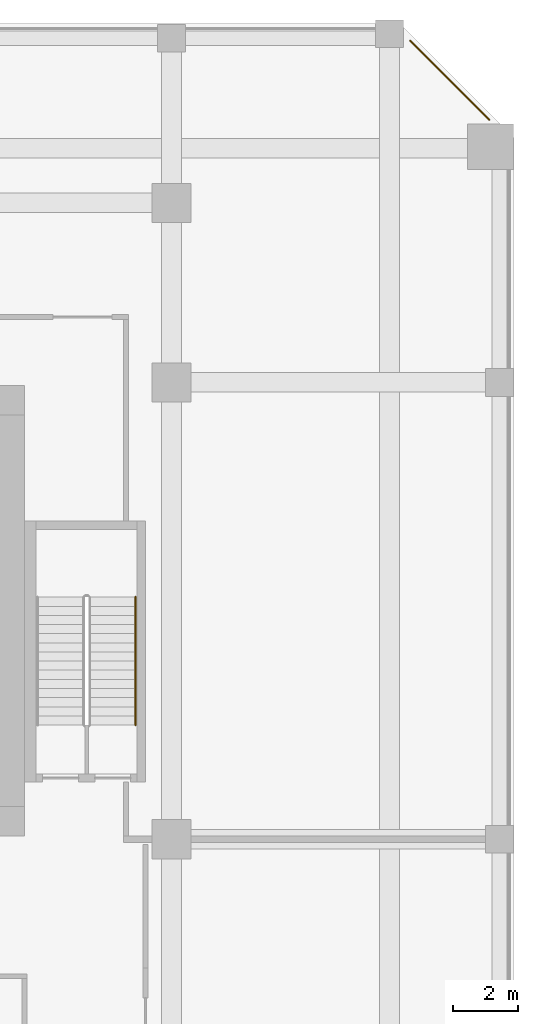
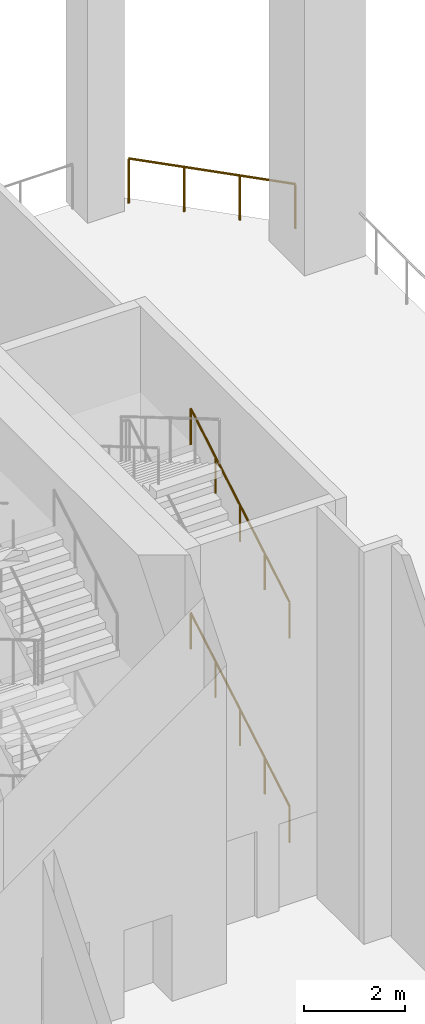
# One storey, part 12 of 12: 3 railings.
"""IFC4 building model written with IfcOpenShell, lengths in metres."""

from ifc_helpers import new_model, si_unit, direction, frame, origin, origin_2d, place, context, subcontext, project, spatial, circle, extrude, material, type_object, element, save


model = new_model("IFC4")

# Units and contexts
model_context = context("Model", 3, precision=1e-05, world=origin(), true_north=direction((0.0, 1.0)))
body_context = subcontext(model_context, "Body", "Model", "MODEL_VIEW")
ifc_project = project(units=[si_unit("LENGTHUNIT", "METRE"), si_unit("AREAUNIT", "SQUARE_METRE"), si_unit("VOLUMEUNIT", "CUBIC_METRE"), si_unit("PLANEANGLEUNIT", "RADIAN"), si_unit("MASSUNIT", "GRAM", prefix="KILO")], contexts=[model_context])

# Site, building, storey
site_placement = place(None, origin())
site = spatial("IfcSite", under=ifc_project, at=site_placement, CompositionType="ELEMENT")
building_placement = place(site_placement, origin())
building = spatial("IfcBuilding", under=site, at=building_placement, Name="Kilnfold Tower and Market Hall", CompositionType="ELEMENT")
storey_placement = place(building_placement, frame((0.0, 0.0, 128.60009765625)))
storey = spatial("IfcBuildingStorey", under=building, at=storey_placement, Name="L30 Refuge Wind Floor", CompositionType="ELEMENT", Elevation=128.60009765625)

# Railings
ifc_material_1 = material(Name="Stainless steel 316", Category="steel")
railing_type_1 = type_object("IfcRailingType", Name="CORE STAIR HANDRAIL 900", PredefinedType="HANDRAIL", material=ifc_material_1)
railing_1_placement = place(storey_placement, frame((21.39990234375, 11.5, 0.164794921875)))
element("IfcRailing", 1, at=railing_1_placement, inside=storey, type_object=railing_type_1, Name="L30 Refuge Wind Floor ST5 stair handrail 1", PredefinedType="HANDRAIL", context=body_context, shape_type="SweptSolid", body=[
    extrude(circle(Radius=0.02392578125, at=origin_2d()), frame((0.0, 0.0, 0.8759765625), z_axis=(0.0, 0.861528402928, 0.507709376464), x_axis=(-1.0, 0.0, 0.0)), (0.0, 0.0, 1.0), 4.550048828125),
    extrude(circle(Radius=0.02099609375, at=origin_2d()), origin(), (0.0, 0.0, 1.0), 0.851806640625),
    extrude(circle(Radius=0.02099609375, at=origin_2d()), frame((0.0, 0.97998046875, 0.57763671875)), (0.0, 0.0, 1.0), 0.851806640625),
    extrude(circle(Radius=0.02099609375, at=origin_2d()), frame((0.0, 1.9599609375, 1.155029296875)), (0.0, 0.0, 1.0), 0.851806640625),
    extrude(circle(Radius=0.02099609375, at=origin_2d()), frame((0.0, 2.93994140625, 1.732421875)), (0.0, 0.0, 1.0), 0.851806640625),
    extrude(circle(Radius=0.02099609375, at=origin_2d()), frame((0.0, 3.919921875, 2.31005859375)), (0.0, 0.0, 1.0), 0.851806640625),
])
railing_2_placement = place(storey_placement, frame((21.39990234375, 11.5, 5.114990234375)))
element("IfcRailing", 2, at=railing_2_placement, inside=storey, type_object=railing_type_1, Name="L30 Refuge Wind Floor ST5 stair handrail 3", PredefinedType="HANDRAIL", context=body_context, shape_type="SweptSolid", body=[
    extrude(circle(Radius=0.02392578125, at=origin_2d()), frame((0.0, 0.0, 0.8759765625), z_axis=(0.0, 0.861551872859, 0.507669548401), x_axis=(-1.0, 0.0, 0.0)), (0.0, 0.0, 1.0), 4.5498046875),
    extrude(circle(Radius=0.02099609375, at=origin_2d()), origin(), (0.0, 0.0, 1.0), 0.851806640625),
    extrude(circle(Radius=0.02099609375, at=origin_2d()), frame((0.0, 0.97998046875, 0.577392578125)), (0.0, 0.0, 1.0), 0.851806640625),
    extrude(circle(Radius=0.02099609375, at=origin_2d()), frame((0.0, 1.9599609375, 1.15478515625)), (0.0, 0.0, 1.0), 0.851806640625),
    extrude(circle(Radius=0.02099609375, at=origin_2d()), frame((0.0, 2.93994140625, 1.732421875)), (0.0, 0.0, 1.0), 0.851806640625),
    extrude(circle(Radius=0.02099609375, at=origin_2d()), frame((0.0, 3.919921875, 2.309814453125)), (0.0, 0.0, 1.0), 0.851806640625),
])
ifc_material_2 = material(Name="Stainless steel and laminated glass", Category="steel")
railing_type_2 = type_object("IfcRailingType", Name="GUARD 1100", PredefinedType="GUARDRAIL", material=ifc_material_2)
railing_3_placement = place(storey_placement, frame((32.243896484375, 30.0439453125, 0.0)))
element("IfcRailing", 3, at=railing_3_placement, inside=storey, type_object=railing_type_2, Name="Guard edge NE L30", PredefinedType="GUARDRAIL", context=body_context, shape_type="SweptSolid", body=[
    extrude(circle(Radius=0.02490234375, at=origin_2d()), frame((0.0, 0.0, 1.0751953125), z_axis=(-0.707106781187, 0.707106781187, 0.0), x_axis=(-0.707106781187, -0.707106781187, 0.0)), (0.0, 0.0, 1.0), 3.429443359375),
    extrude(circle(Radius=0.02490234375, at=origin_2d()), origin(), (0.0, 0.0, 1.0), 1.050048828125),
    extrude(circle(Radius=0.02490234375, at=origin_2d()), frame((-0.808349609375, 0.808349609375, 0.0)), (0.0, 0.0, 1.0), 1.050048828125),
    extrude(circle(Radius=0.02490234375, at=origin_2d()), frame((-1.61669921875, 1.61669921875, 0.0)), (0.0, 0.0, 1.0), 1.050048828125),
    extrude(circle(Radius=0.02490234375, at=origin_2d()), frame((-2.425048828125, 2.425048828125, 0.0)), (0.0, 0.0, 1.0), 1.050048828125),
])

save(model, "model.ifc")
